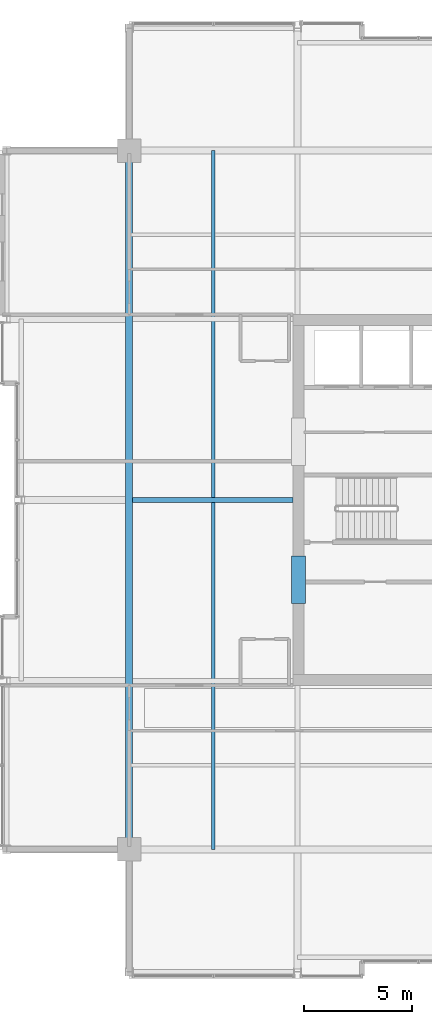
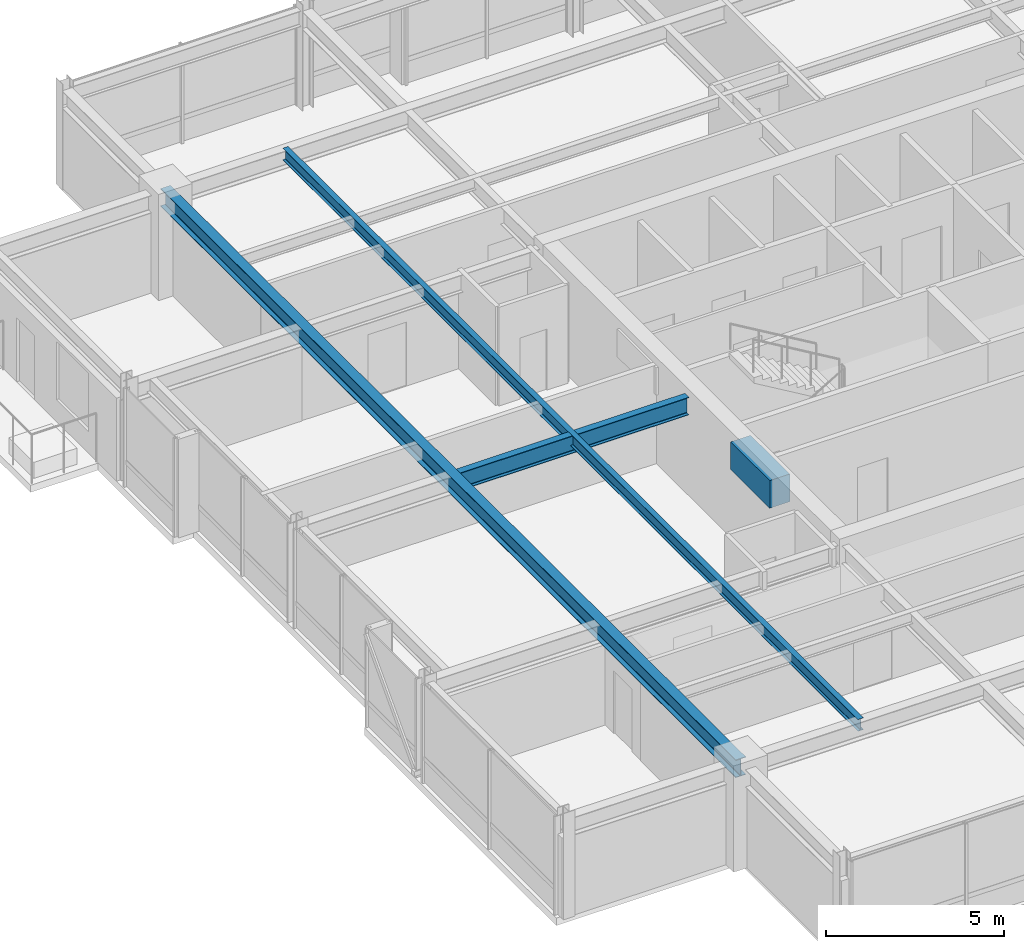
# One storey, part 12 of 33: 4 beams.
"""IFC4 building model written with IfcOpenShell, lengths in metres."""

from ifc_helpers import new_model, si_unit, direction, frame, origin, origin_2d, place, context, subcontext, project, spatial, rectangle, i_section, extrude, material, material_profile, profile_set, type_object, element, save


model = new_model("IFC4")

# Units and contexts
model_context = context("Model", 3, precision=1e-05, world=origin(), true_north=direction((0.0, 1.0)))
body_context = subcontext(model_context, "Body", "Model", "MODEL_VIEW")
ifc_project = project(units=[si_unit("LENGTHUNIT", "METRE"), si_unit("AREAUNIT", "SQUARE_METRE"), si_unit("VOLUMEUNIT", "CUBIC_METRE"), si_unit("PLANEANGLEUNIT", "RADIAN"), si_unit("MASSUNIT", "GRAM", prefix="KILO")], contexts=[model_context])

# Site, building, storey
site_placement = place(None, origin())
site = spatial("IfcSite", under=ifc_project, at=site_placement, CompositionType="ELEMENT")
building_placement = place(site_placement, origin())
building = spatial("IfcBuilding", under=site, at=building_placement, Name="Drelvath Grand Hotel", CompositionType="ELEMENT")
storey_placement = place(building_placement, frame((0.0, 0.0, 275.949951171875)))
storey = spatial("IfcBuildingStorey", under=building, at=storey_placement, Name="L72", CompositionType="ELEMENT", Elevation=275.949951171875)

# Beams
ifc_material_1 = material(Name="Steel ASTM A992 Gr 50", Category="steel")
ifc_material_profile_1 = material_profile(ifc_material_1, i_section(OverallWidth=0.177734375, OverallDepth=0.40673828125, WebThickness=0.0078125, FlangeThickness=0.0126953125, FilletRadius=0.014892578125, at=origin_2d()), Name="W16X40")
ifc_profile_set_1 = profile_set([ifc_material_profile_1], Name="Steel ASTM A992 Gr 50")
beam_type_1 = type_object("IfcBeamType", Name="Composite Floor Joist W16X40", PredefinedType="JOIST", material=ifc_profile_set_1)
beam_1_placement = place(storey_placement, frame((-12.300048828125, 10.800048828125, 3.186767578125), z_axis=(0.0, 1.0, 0.0), x_axis=(-1.0, 0.0, 0.0)))
element("IfcBeam", 1, at=beam_1_placement, inside=storey, type_object=beam_type_1, Name="L72 Wing Floor Joist J3", PredefinedType="JOIST", context=body_context, shape_type="SweptSolid", body=[
    extrude(i_section(OverallWidth=0.177734375, OverallDepth=0.40673828125, WebThickness=0.0078125, FlangeThickness=0.0126953125, FilletRadius=0.014892578125, at=origin_2d()), origin(), (0.0, 0.0, 1.0), 32.39990234375),
])
ifc_material_2 = material(Name="Concrete f'c 55 MPa", Category="concrete")
ifc_material_profile_2 = material_profile(ifc_material_2, rectangle(XDim=0.64990234375, YDim=0.949951171875, at=origin_2d()), Name="CB650X950")
ifc_profile_set_2 = profile_set([ifc_material_profile_2], Name="Concrete f'c 55 MPa")
beam_type_2 = type_object("IfcBeamType", Name="Core Coupling Lintel CB650X950", PredefinedType="LINTEL", material=ifc_profile_set_2)
beam_2_placement = place(storey_placement, frame((-8.35009765625, 22.199951171875, 2.9150390625), z_axis=(0.0, 1.0, 0.0), x_axis=(-1.0, 0.0, 0.0)))
element("IfcBeam", 2, at=beam_2_placement, inside=storey, type_object=beam_type_2, Name="L72 Core Coupling Lintel WS", PredefinedType="LINTEL", context=body_context, shape_type="SweptSolid", body=[
    extrude(rectangle(XDim=0.64990234375, YDim=0.949951171875, at=origin_2d()), origin(), (0.0, 0.0, 1.0), 2.199951171875),
])
ifc_material_profile_3 = material_profile(ifc_material_1, i_section(OverallWidth=0.323974609375, OverallDepth=0.611083984375, WebThickness=0.0126953125, FlangeThickness=0.01904296875, FilletRadius=0.02197265625, at=origin_2d()), Name="W24X104")
ifc_profile_set_3 = profile_set([ifc_material_profile_3], Name="Steel ASTM A992 Gr 50")
beam_type_3 = type_object("IfcBeamType", Name="Primary Floor Girder W24X104", PredefinedType="BEAM", material=ifc_profile_set_3)
beam_3_placement = place(storey_placement, frame((-16.199951171875, 10.800048828125, 3.08447265625), z_axis=(0.0, 1.0, 0.0), x_axis=(-1.0, 0.0, 0.0)))
element("IfcBeam", 3, at=beam_3_placement, inside=storey, type_object=beam_type_3, Name="L72 Mega Ring Girder West", PredefinedType="BEAM", context=body_context, shape_type="SweptSolid", body=[
    extrude(i_section(OverallWidth=0.323974609375, OverallDepth=0.611083984375, WebThickness=0.0126953125, FlangeThickness=0.01904296875, FilletRadius=0.02197265625, at=origin_2d()), origin(), (0.0, 0.0, 1.0), 32.39990234375),
])
ifc_material_profile_4 = material_profile(ifc_material_1, i_section(OverallWidth=0.228271484375, OverallDepth=0.607666015625, WebThickness=0.01123046875, FlangeThickness=0.017333984375, FilletRadius=0.02001953125, at=origin_2d()), Name="W24X76")
ifc_profile_set_4 = profile_set([ifc_material_profile_4], Name="Steel ASTM A992 Gr 50")
beam_type_4 = type_object("IfcBeamType", Name="Primary Floor Girder W24X76", PredefinedType="BEAM", material=ifc_profile_set_4)
beam_4_placement = place(storey_placement, frame((-16.0380859375, 27.0, 3.086181640625), z_axis=(1.0, 0.0, 0.0), x_axis=(0.0, 1.0, 0.0)))
element("IfcBeam", 4, at=beam_4_placement, inside=storey, type_object=beam_type_4, Name="L72 West Core Tie E", PredefinedType="BEAM", context=body_context, shape_type="SweptSolid", body=[
    extrude(i_section(OverallWidth=0.228271484375, OverallDepth=0.607666015625, WebThickness=0.01123046875, FlangeThickness=0.017333984375, FilletRadius=0.02001953125, at=origin_2d()), origin(), (0.0, 0.0, 1.0), 7.43798828125),
])

save(model, "model.ifc")
